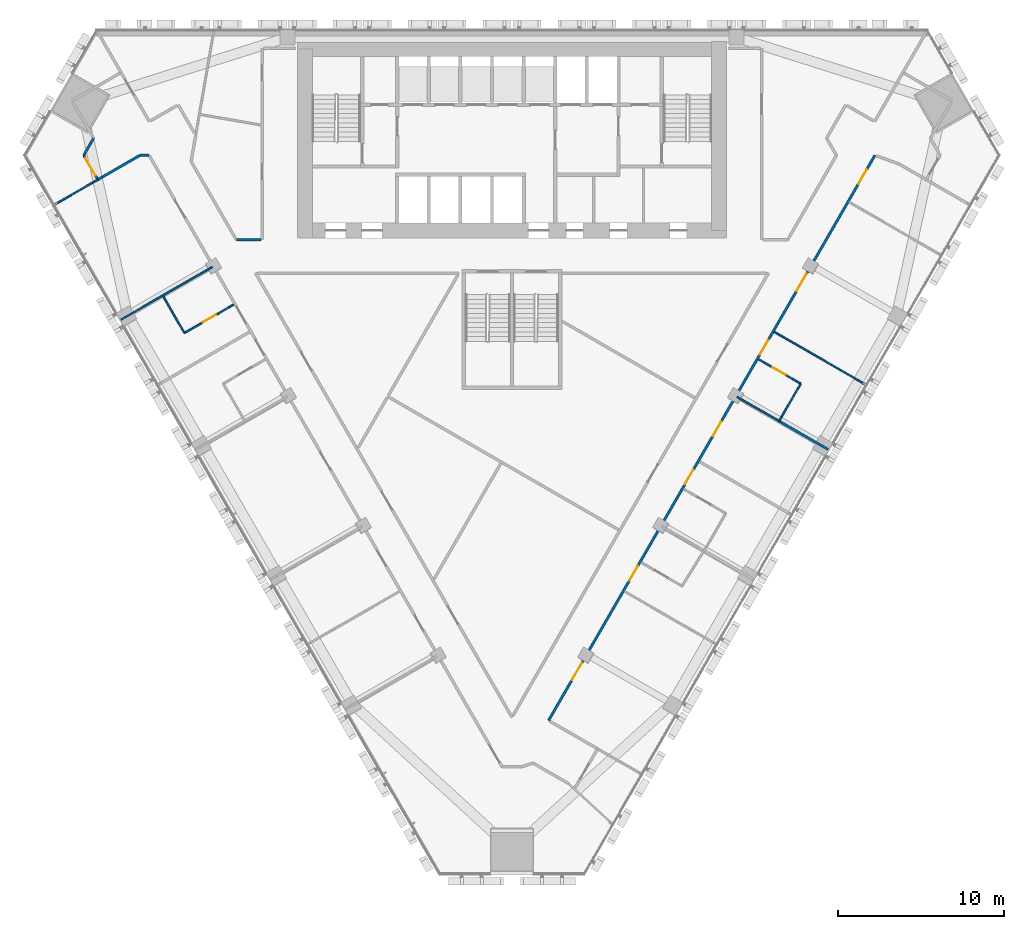
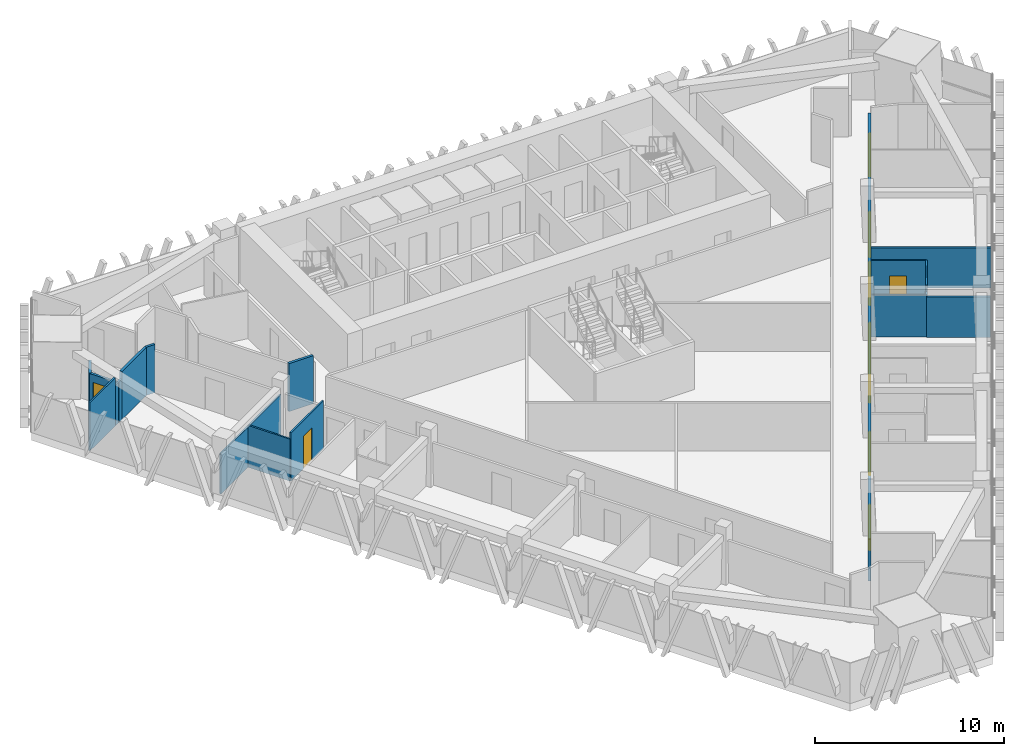
# One storey, part 10 of 16: 18 walls, 10 doors, 10 openings.
"""IFC4 building model written with IfcOpenShell, lengths in metres."""

from ifc_helpers import new_model, si_unit, direction, frame, frame_2d, origin, place, context, subcontext, project, spatial, rectangle, extrude, material, layer, layer_set, type_object, element, fill, save


model = new_model("IFC4")

# Units and contexts
model_context = context("Model", 3, precision=1e-05, world=origin(), true_north=direction((0.0, 1.0)))
body_context = subcontext(model_context, "Body", "Model", "MODEL_VIEW")
ifc_project = project(units=[si_unit("LENGTHUNIT", "METRE"), si_unit("AREAUNIT", "SQUARE_METRE"), si_unit("VOLUMEUNIT", "CUBIC_METRE"), si_unit("PLANEANGLEUNIT", "RADIAN"), si_unit("MASSUNIT", "GRAM", prefix="KILO")], contexts=[model_context])

# Site, building, storey
site_placement = place(None, origin())
site = spatial("IfcSite", under=ifc_project, at=site_placement, CompositionType="ELEMENT")
building_placement = place(site_placement, origin())
building = spatial("IfcBuilding", under=site, at=building_placement, Name="Altiplano Prism Tower", CompositionType="ELEMENT")
storey_placement = place(building_placement, frame((0.0, 0.0, 88.199951171875)))
storey = spatial("IfcBuildingStorey", under=building, at=storey_placement, Name="L22", CompositionType="ELEMENT", Elevation=88.199951171875)

# Wall, opening, door
ifc_material_1 = material(Name="Plasterboard on steel stud", Category="steel")
ifc_layer_1 = layer(ifc_material_1, 0.10009765625)
ifc_layer_set_1 = layer_set([ifc_layer_1], Name="Plasterboard on steel stud")
wall_type_1 = type_object("IfcWallType", Name="Partition 100 unit", PredefinedType="PARTITIONING", material=ifc_layer_set_1)
wall_1_placement = place(storey_placement, frame((68.28759765625, 88.507568359375, 0.0), z_axis=(0.0, 0.0, 1.0), x_axis=(-0.866019409031, -0.500010383074, 0.0)))
wall_1 = element("IfcWall", 1, at=wall_1_placement, inside=storey, type_object=wall_type_1, Name="Partition P02 L22 051", PredefinedType="PARTITIONING", context=body_context, shape_type="SweptSolid", body=[
    extrude(rectangle(XDim=3.42529296875, YDim=0.10009765625, at=frame_2d((1.712646484375, 0.0))), origin(), (0.0, 0.0, 1.0), 3.10009765625),
])
opening_1_placement = place(wall_1_placement, frame((1.22509765625, 0.0, 0.0)))
opening_1 = element("IfcOpeningElement", 2, at=opening_1_placement, cuts=wall_1, Name="Opening D0822", PredefinedType="OPENING", context=body_context, shape_type="SweptSolid", body=[
    extrude(rectangle(XDim=0.89990234375, YDim=2.10009765625, at=frame_2d((0.449951171875, 1.050048828125))), frame((0.0, 0.060546875, 0.0), z_axis=(0.0, -1.0, 0.0), x_axis=(1.0, 0.0, 0.0)), (0.0, 0.0, 1.0), 0.12109375),
])
ifc_material_2 = material(Name="Timber", Category="wood")
door_type_1 = type_object("IfcDoorType", Name="Accessible ensuite door 900 x 2100", OperationType="NOTDEFINED", PredefinedType="NOTDEFINED", material=ifc_material_2)
door_1_placement = place(opening_1_placement, origin())
door_1 = element("IfcDoor", 3, at=door_1_placement, inside=storey, type_object=door_type_1, Name="Door D0822", OperationType="SINGLE_SWING_RIGHT", OverallHeight=2.10009765625, OverallWidth=0.89990234375, PredefinedType="NOTDEFINED", context=body_context, shape_type="SweptSolid", body=[
    extrude(rectangle(XDim=0.89990234375, YDim=2.10009765625, at=frame_2d((0.449951171875, 1.050048828125))), frame((0.0, 0.02490234375, 0.0), z_axis=(0.0, -1.0, 0.0), x_axis=(1.0, 0.0, 0.0)), (0.0, 0.0, 1.0), 0.050048828125),
])
fill(opening_1, door_1)

# Wall
wall_2_placement = place(storey_placement, frame((65.3212890625, 86.794921875, 0.0), z_axis=(0.0, 0.0, 1.0), x_axis=(-0.499948979701, 0.866054858364, 0.0)))
element("IfcWall", 4, at=wall_2_placement, inside=storey, type_object=wall_type_1, Name="Partition P02 L22 052", PredefinedType="PARTITIONING", context=body_context, shape_type="SweptSolid", body=[
    extrude(rectangle(XDim=2.550048828125, YDim=0.10009765625, at=frame_2d((1.27490234375, 0.0))), origin(), (0.0, 0.0, 1.0), 2.699951171875),
])

# Wall, opening, door
wall_3_placement = place(storey_placement, frame((99.8125, 85.216552734375, 0.0), z_axis=(0.0, 0.0, 1.0), x_axis=(0.866046596414, -0.499963291492, 0.0)))
wall_3 = element("IfcWall", 5, at=wall_3_placement, inside=storey, type_object=wall_type_1, Name="Partition P02 L22 072", PredefinedType="PARTITIONING", context=body_context, shape_type="SweptSolid", body=[
    extrude(rectangle(XDim=2.925048828125, YDim=0.10009765625, at=frame_2d((1.46240234375, 0.0))), origin(), (0.0, 0.0, 1.0), 3.10009765625),
])
opening_2_placement = place(wall_3_placement, frame((0.97509765625, 0.0, 0.0)))
opening_2 = element("IfcOpeningElement", 6, at=opening_2_placement, cuts=wall_3, Name="Opening D0837", PredefinedType="OPENING", context=body_context, shape_type="SweptSolid", body=[
    extrude(rectangle(XDim=0.89990234375, YDim=2.10009765625, at=frame_2d((0.449951171875, 1.050048828125))), frame((0.0, 0.060546875, 0.0), z_axis=(0.0, -1.0, 0.0), x_axis=(1.0, 0.0, 0.0)), (0.0, 0.0, 1.0), 0.12109375),
])
door_type_2 = type_object("IfcDoorType", Name="Ensuite door 900 x 2100", OperationType="NOTDEFINED", PredefinedType="NOTDEFINED", material=ifc_material_2)
door_2_placement = place(opening_2_placement, origin())
door_2 = element("IfcDoor", 7, at=door_2_placement, inside=storey, type_object=door_type_2, Name="Door D0837", OperationType="SINGLE_SWING_LEFT", OverallHeight=2.10009765625, OverallWidth=0.89990234375, PredefinedType="NOTDEFINED", context=body_context, shape_type="SweptSolid", body=[
    extrude(rectangle(XDim=0.89990234375, YDim=2.10009765625, at=frame_2d((0.449951171875, 1.050048828125))), frame((0.0, 0.02490234375, 0.0), z_axis=(0.0, -1.0, 0.0), x_axis=(1.0, 0.0, 0.0)), (0.0, 0.0, 1.0), 0.050048828125),
])
fill(opening_2, door_2)

# Walls
wall_4_placement = place(storey_placement, frame((102.345703125, 83.754150390625, 0.0), z_axis=(0.0, 0.0, 1.0), x_axis=(-0.500031774688, -0.866007057882, 0.0)))
element("IfcWall", 8, at=wall_4_placement, inside=storey, type_object=wall_type_1, Name="Partition P02 L22 073", PredefinedType="PARTITIONING", context=body_context, shape_type="SweptSolid", body=[
    extrude(rectangle(XDim=2.300048828125, YDim=0.10009765625, at=frame_2d((1.14990234375, 0.0))), origin(), (0.0, 0.0, 1.0), 3.10009765625),
])
wall_5_placement = place(storey_placement, frame((101.195556640625, 81.76220703125, 0.0), z_axis=(0.0, 0.0, 1.0), x_axis=(-0.499816412211, -0.866131372301, 0.0)))
element("IfcWall", 9, at=wall_5_placement, inside=storey, type_object=wall_type_1, Name="Partition P02 L22 074", PredefinedType="PARTITIONING", context=body_context, shape_type="SweptSolid", body=[
    extrude(rectangle(XDim=0.2998046875, YDim=0.10009765625, at=frame_2d((0.14990234375, 0.0))), origin(), (0.0, 0.0, 1.0), 2.699951171875),
])
ifc_layer_2 = layer(ifc_material_1, 0.10009765625)
ifc_layer_set_2 = layer_set([ifc_layer_2], Name="Plasterboard on steel stud")
wall_type_2 = type_object("IfcWallType", Name="Partition 100 wet", PredefinedType="PARTITIONING", material=ifc_layer_set_2)
wall_6_placement = place(storey_placement, frame((57.501953125, 94.498291015625, 0.0), z_axis=(0.0, 0.0, 1.0), x_axis=(0.866033651025, 0.499985715088, 0.0)))
element("IfcWall", 10, at=wall_6_placement, inside=storey, type_object=wall_type_2, Name="Partition P03 L22 048", PredefinedType="PARTITIONING", context=body_context, shape_type="SweptSolid", body=[
    extrude(rectangle(XDim=2.67578125, YDim=0.10009765625, at=frame_2d((1.337890625, 0.0))), origin(), (0.0, 0.0, 1.0), 3.10009765625),
])
wall_7_placement = place(storey_placement, frame((59.8193359375, 95.836181640625, 0.0), z_axis=(0.0, 0.0, 1.0), x_axis=(0.866006986733, 0.500031897912, 0.0)))
element("IfcWall", 11, at=wall_7_placement, inside=storey, type_object=wall_type_2, Name="Partition P03 L22 049", PredefinedType="PARTITIONING", context=body_context, shape_type="SweptSolid", body=[
    extrude(rectangle(XDim=0.3642578125, YDim=0.10009765625, at=frame_2d((0.18212890625, 0.0))), origin(), (0.0, 0.0, 1.0), 2.60009765625),
])
wall_8_placement = place(storey_placement, frame((61.510009765625, 87.5966796875, 0.0), z_axis=(0.0, 0.0, 1.0), x_axis=(0.866032601554, 0.49998753289, 0.0)))
element("IfcWall", 12, at=wall_8_placement, inside=storey, type_object=wall_type_2, Name="Partition P03 L22 050", PredefinedType="PARTITIONING", context=body_context, shape_type="SweptSolid", body=[
    extrude(rectangle(XDim=6.324951171875, YDim=0.10009765625, at=frame_2d((3.16259765625, 0.0))), origin(), (0.0, 0.0, 1.0), 2.60009765625),
])
wall_9_placement = place(storey_placement, frame((101.045654296875, 81.50244140625, 0.0), z_axis=(0.0, 0.0, 1.0), x_axis=(-0.866046596414, 0.499963291492, 0.0)))
element("IfcWall", 13, at=wall_9_placement, inside=storey, type_object=wall_type_2, Name="Partition P03 L22 071", PredefinedType="PARTITIONING", context=body_context, shape_type="SweptSolid", body=[
    extrude(rectangle(XDim=2.925048828125, YDim=0.10009765625, at=frame_2d((1.46240234375, 0.0))), origin(), (0.0, 0.0, 1.0), 2.699951171875),
])
wall_10_placement = place(storey_placement, frame((106.257568359375, 83.689453125, 0.0), z_axis=(0.0, 0.0, 1.0), x_axis=(-0.866025401434, 0.500000004071, 0.0)))
element("IfcWall", 14, at=wall_10_placement, inside=storey, type_object=wall_type_2, Name="Partition P03 L22 075", PredefinedType="PARTITIONING", context=body_context, shape_type="SweptSolid", body=[
    extrude(rectangle(XDim=6.34521484375, YDim=0.10009765625, at=frame_2d((3.172607421875, 0.0))), origin(), (0.0, 0.0, 1.0), 2.60009765625),
])
ifc_layer_3 = layer(ifc_material_1, 0.14990234375)
ifc_layer_set_3 = layer_set([ifc_layer_3], Name="Plasterboard on steel stud")
wall_type_3 = type_object("IfcWallType", Name="Partition 150 corridor", PredefinedType="PARTITIONING", material=ifc_layer_set_3)
wall_11_placement = place(storey_placement, frame((69.925048828125, 92.39990234375, 0.0), z_axis=(0.0, 0.0, 1.0), x_axis=(-1.0, 0.0, 0.0)))
element("IfcWall", 15, at=wall_11_placement, inside=storey, type_object=wall_type_3, Name="Partition P06 L22 004", PredefinedType="PARTITIONING", context=body_context, shape_type="SweptSolid", body=[
    extrude(rectangle(XDim=1.489013671875, YDim=0.14990234375, at=frame_2d((0.74462890625, 0.0))), origin(), (0.0, 0.0, 1.0), 3.10009765625),
])
wall_12_placement = place(storey_placement, frame((59.864990234375, 98.5, 0.0), z_axis=(0.0, 0.0, 1.0), x_axis=(-0.500013496215, -0.866017611601, 0.0)))
element("IfcWall", 16, at=wall_12_placement, inside=storey, type_object=wall_type_3, Name="Partition P06 L22 012", PredefinedType="PARTITIONING", context=body_context, shape_type="SweptSolid", body=[
    extrude(rectangle(XDim=1.18603515625, YDim=0.14990234375, at=frame_2d((0.593017578125, 0.0))), origin(), (0.0, 0.0, 1.0), 2.60009765625),
])

# Wall, opening, door
wall_13_placement = place(storey_placement, frame((59.27197265625, 97.472900390625, 0.0), z_axis=(0.0, 0.0, 1.0), x_axis=(0.500005767435, -0.866022073929, 0.0)))
wall_13 = element("IfcWall", 17, at=wall_13_placement, inside=storey, type_object=wall_type_3, Name="Partition P06 L22 013", PredefinedType="PARTITIONING", context=body_context, shape_type="SweptSolid", body=[
    extrude(rectangle(XDim=1.6162109375, YDim=0.14990234375, at=frame_2d((0.80810546875, 0.0))), origin(), (0.0, 0.0, 1.0), 2.60009765625),
])
opening_3_placement = place(wall_13_placement, frame((0.216064453125, 0.0, 0.0)))
opening_3 = element("IfcOpeningElement", 18, at=opening_3_placement, cuts=wall_13, Name="Opening D0819", PredefinedType="OPENING", context=body_context, shape_type="SweptSolid", body=[
    extrude(rectangle(XDim=1.199951171875, YDim=2.10009765625, at=frame_2d((0.60009765625, 1.050048828125))), frame((0.0, 0.08544921875, 0.0), z_axis=(0.0, -1.0, 0.0), x_axis=(1.0, 0.0, 0.0)), (0.0, 0.0, 1.0), 0.1708984375),
])
door_type_3 = type_object("IfcDoorType", Name="Shared room door 1200 x 2100", OperationType="NOTDEFINED", PredefinedType="NOTDEFINED", material=ifc_material_2)
door_3_placement = place(opening_3_placement, origin())
door_3 = element("IfcDoor", 19, at=door_3_placement, inside=storey, type_object=door_type_3, Name="Door D0819", OperationType="SINGLE_SWING_RIGHT", OverallHeight=2.10009765625, OverallWidth=1.199951171875, PredefinedType="NOTDEFINED", context=body_context, shape_type="SweptSolid", body=[
    extrude(rectangle(XDim=1.199951171875, YDim=2.10009765625, at=frame_2d((0.60009765625, 1.050048828125))), frame((0.0, 0.02490234375, 0.0), z_axis=(0.0, -1.0, 0.0), x_axis=(1.0, 0.0, 0.0)), (0.0, 0.0, 1.0), 0.050048828125),
])
fill(opening_3, door_3)

# Walls
wall_14_placement = place(storey_placement, frame((60.10009765625, 95.998291015625, 0.0), z_axis=(0.0, 0.0, 1.0), x_axis=(0.866115353951, 0.499844169366, 0.0)))
element("IfcWall", 20, at=wall_14_placement, inside=storey, type_object=wall_type_3, Name="Partition P06 L22 014", PredefinedType="PARTITIONING", context=body_context, shape_type="SweptSolid", body=[
    extrude(rectangle(XDim=0.34716796875, YDim=0.14990234375, at=frame_2d((0.173583984375, 0.0))), origin(), (0.0, 0.0, 1.0), 2.60009765625),
])
wall_15_placement = place(storey_placement, frame((60.40087890625, 96.171875, 0.0), z_axis=(0.0, 0.0, 1.0), x_axis=(0.866023087339, 0.500004012181, 0.0)))
element("IfcWall", 21, at=wall_15_placement, inside=storey, type_object=wall_type_3, Name="Partition P06 L22 015", PredefinedType="PARTITIONING", context=body_context, shape_type="SweptSolid", body=[
    extrude(rectangle(XDim=2.60205078125, YDim=0.14990234375, at=frame_2d((1.301025390625, 0.0))), origin(), (0.0, 0.0, 1.0), 3.10009765625),
])
wall_16_placement = place(storey_placement, frame((62.654296875, 97.472900390625, 0.0), z_axis=(0.0, 0.0, 1.0), x_axis=(1.0, 0.0, 0.0)))
element("IfcWall", 22, at=wall_16_placement, inside=storey, type_object=wall_type_3, Name="Partition P06 L22 016", PredefinedType="PARTITIONING", context=body_context, shape_type="SweptSolid", body=[
    extrude(rectangle(XDim=0.543701171875, YDim=0.14990234375, at=frame_2d((0.27197265625, 0.0))), origin(), (0.0, 0.0, 1.0), 3.10009765625),
])

# Wall, openings, doors
wall_17_placement = place(storey_placement, frame((87.197509765625, 63.516845703125, 0.0), z_axis=(0.0, 0.0, 1.0), x_axis=(0.499999136801, 0.866025902152, 0.0)))
wall_17 = element("IfcWall", 23, at=wall_17_placement, inside=storey, type_object=wall_type_3, Name="Partition P06 L22 024", PredefinedType="PARTITIONING", context=body_context, shape_type="SweptSolid", body=[
    extrude(rectangle(XDim=39.208984375, YDim=0.14990234375, at=frame_2d((19.6044921875, 0.0))), origin(), (0.0, 0.0, 1.0), 2.699951171875),
])
opening_4_placement = place(wall_17_placement, frame((2.800048828125, 0.0, 0.0)))
opening_4 = element("IfcOpeningElement", 24, at=opening_4_placement, cuts=wall_17, Name="Opening D0830", PredefinedType="OPENING", context=body_context, shape_type="SweptSolid", body=[
    extrude(rectangle(XDim=1.199951171875, YDim=2.10009765625, at=frame_2d((0.60009765625, 1.050048828125))), frame((0.0, 0.08544921875, 0.0), z_axis=(0.0, -1.0, 0.0), x_axis=(1.0, 0.0, 0.0)), (0.0, 0.0, 1.0), 0.1708984375),
])
opening_5_placement = place(wall_17_placement, frame((9.719970703125, 0.0, 0.0)))
opening_5 = element("IfcOpeningElement", 25, at=opening_5_placement, cuts=wall_17, Name="Opening D0831", PredefinedType="OPENING", context=body_context, shape_type="SweptSolid", body=[
    extrude(rectangle(XDim=1.0, YDim=2.10009765625, at=frame_2d((0.5, 1.050048828125))), frame((0.0, 0.08544921875, 0.0), z_axis=(0.0, -1.0, 0.0), x_axis=(1.0, 0.0, 0.0)), (0.0, 0.0, 1.0), 0.1708984375),
])
opening_6_placement = place(wall_17_placement, frame((16.39501953125, 0.0, 0.0)))
opening_6 = element("IfcOpeningElement", 26, at=opening_6_placement, cuts=wall_17, Name="Opening D0833", PredefinedType="OPENING", context=body_context, shape_type="SweptSolid", body=[
    extrude(rectangle(XDim=1.0, YDim=2.10009765625, at=frame_2d((0.5, 1.050048828125))), frame((0.0, 0.08544921875, 0.0), z_axis=(0.0, -1.0, 0.0), x_axis=(1.0, 0.0, 0.0)), (0.0, 0.0, 1.0), 0.1708984375),
])
opening_7_placement = place(wall_17_placement, frame((19.75, 0.0, 0.0)))
opening_7 = element("IfcOpeningElement", 27, at=opening_7_placement, cuts=wall_17, Name="Opening D0835", PredefinedType="OPENING", context=body_context, shape_type="SweptSolid", body=[
    extrude(rectangle(XDim=1.0, YDim=2.10009765625, at=frame_2d((0.5, 1.050048828125))), frame((0.0, 0.08544921875, 0.0), z_axis=(0.0, -1.0, 0.0), x_axis=(1.0, 0.0, 0.0)), (0.0, 0.0, 1.0), 0.1708984375),
])
opening_8_placement = place(wall_17_placement, frame((25.39501953125, 0.0, 0.0)))
opening_8 = element("IfcOpeningElement", 28, at=opening_8_placement, cuts=wall_17, Name="Opening D0836", PredefinedType="OPENING", context=body_context, shape_type="SweptSolid", body=[
    extrude(rectangle(XDim=1.0, YDim=2.10009765625, at=frame_2d((0.5, 1.050048828125))), frame((0.0, 0.08544921875, 0.0), z_axis=(0.0, -1.0, 0.0), x_axis=(1.0, 0.0, 0.0)), (0.0, 0.0, 1.0), 0.1708984375),
])
opening_9_placement = place(wall_17_placement, frame((29.800048828125, 0.0, 0.0)))
opening_9 = element("IfcOpeningElement", 29, at=opening_9_placement, cuts=wall_17, Name="Opening D0838", PredefinedType="OPENING", context=body_context, shape_type="SweptSolid", body=[
    extrude(rectangle(XDim=1.199951171875, YDim=2.10009765625, at=frame_2d((0.60009765625, 1.050048828125))), frame((0.0, 0.08544921875, 0.0), z_axis=(0.0, -1.0, 0.0), x_axis=(1.0, 0.0, 0.0)), (0.0, 0.0, 1.0), 0.1708984375),
])
opening_10_placement = place(wall_17_placement, frame((37.22509765625, 0.0, 0.0)))
opening_10 = element("IfcOpeningElement", 30, at=opening_10_placement, cuts=wall_17, Name="Opening D0839", PredefinedType="OPENING", context=body_context, shape_type="SweptSolid", body=[
    extrude(rectangle(XDim=1.0, YDim=2.10009765625, at=frame_2d((0.5, 1.050048828125))), frame((0.0, 0.08544921875, 0.0), z_axis=(0.0, -1.0, 0.0), x_axis=(1.0, 0.0, 0.0)), (0.0, 0.0, 1.0), 0.1708984375),
])
door_type_4 = type_object("IfcDoorType", Name="Bedroom entrance door 1000 x 2100", OperationType="NOTDEFINED", PredefinedType="NOTDEFINED", material=ifc_material_2)
door_4_placement = place(opening_5_placement, origin())
door_4 = element("IfcDoor", 31, at=door_4_placement, inside=storey, type_object=door_type_4, Name="Door D0831", OperationType="SINGLE_SWING_RIGHT", OverallHeight=2.10009765625, OverallWidth=1.0, PredefinedType="NOTDEFINED", context=body_context, shape_type="SweptSolid", body=[
    extrude(rectangle(XDim=1.0, YDim=2.10009765625, at=frame_2d((0.5, 1.050048828125))), frame((0.0, 0.02490234375, 0.0), z_axis=(0.0, -1.0, 0.0), x_axis=(1.0, 0.0, 0.0)), (0.0, 0.0, 1.0), 0.050048828125),
])
fill(opening_5, door_4)
door_5_placement = place(opening_6_placement, origin())
door_5 = element("IfcDoor", 32, at=door_5_placement, inside=storey, type_object=door_type_4, Name="Door D0833", OperationType="SINGLE_SWING_LEFT", OverallHeight=2.10009765625, OverallWidth=1.0, PredefinedType="NOTDEFINED", context=body_context, shape_type="SweptSolid", body=[
    extrude(rectangle(XDim=1.0, YDim=2.10009765625, at=frame_2d((0.5, 1.050048828125))), frame((0.0, 0.02490234375, 0.0), z_axis=(0.0, -1.0, 0.0), x_axis=(1.0, 0.0, 0.0)), (0.0, 0.0, 1.0), 0.050048828125),
])
fill(opening_6, door_5)
door_6_placement = place(opening_8_placement, origin())
door_6 = element("IfcDoor", 33, at=door_6_placement, inside=storey, type_object=door_type_4, Name="Door D0836", OperationType="SINGLE_SWING_RIGHT", OverallHeight=2.10009765625, OverallWidth=1.0, PredefinedType="NOTDEFINED", context=body_context, shape_type="SweptSolid", body=[
    extrude(rectangle(XDim=1.0, YDim=2.10009765625, at=frame_2d((0.5, 1.050048828125))), frame((0.0, 0.02490234375, 0.0), z_axis=(0.0, -1.0, 0.0), x_axis=(1.0, 0.0, 0.0)), (0.0, 0.0, 1.0), 0.050048828125),
])
fill(opening_8, door_6)
door_type_5 = type_object("IfcDoorType", Name="Room door 1000 x 2100", OperationType="NOTDEFINED", PredefinedType="NOTDEFINED", material=ifc_material_2)
door_7_placement = place(opening_7_placement, origin())
door_7 = element("IfcDoor", 34, at=door_7_placement, inside=storey, type_object=door_type_5, Name="Door D0835", OperationType="SINGLE_SWING_RIGHT", OverallHeight=2.10009765625, OverallWidth=1.0, PredefinedType="NOTDEFINED", context=body_context, shape_type="SweptSolid", body=[
    extrude(rectangle(XDim=1.0, YDim=2.10009765625, at=frame_2d((0.5, 1.050048828125))), frame((0.0, 0.02490234375, 0.0), z_axis=(0.0, -1.0, 0.0), x_axis=(1.0, 0.0, 0.0)), (0.0, 0.0, 1.0), 0.050048828125),
])
fill(opening_7, door_7)
door_8_placement = place(opening_10_placement, origin())
door_8 = element("IfcDoor", 35, at=door_8_placement, inside=storey, type_object=door_type_5, Name="Door D0839", OperationType="SINGLE_SWING_RIGHT", OverallHeight=2.10009765625, OverallWidth=1.0, PredefinedType="NOTDEFINED", context=body_context, shape_type="SweptSolid", body=[
    extrude(rectangle(XDim=1.0, YDim=2.10009765625, at=frame_2d((0.5, 1.050048828125))), frame((0.0, 0.02490234375, 0.0), z_axis=(0.0, -1.0, 0.0), x_axis=(1.0, 0.0, 0.0)), (0.0, 0.0, 1.0), 0.050048828125),
])
fill(opening_10, door_8)
door_9_placement = place(opening_4_placement, origin())
door_9 = element("IfcDoor", 36, at=door_9_placement, inside=storey, type_object=door_type_3, Name="Door D0830", OperationType="SINGLE_SWING_RIGHT", OverallHeight=2.10009765625, OverallWidth=1.199951171875, PredefinedType="NOTDEFINED", context=body_context, shape_type="SweptSolid", body=[
    extrude(rectangle(XDim=1.199951171875, YDim=2.10009765625, at=frame_2d((0.60009765625, 1.050048828125))), frame((0.0, 0.02490234375, 0.0), z_axis=(0.0, -1.0, 0.0), x_axis=(1.0, 0.0, 0.0)), (0.0, 0.0, 1.0), 0.050048828125),
])
fill(opening_4, door_9)
door_10_placement = place(opening_9_placement, origin())
door_10 = element("IfcDoor", 37, at=door_10_placement, inside=storey, type_object=door_type_3, Name="Door D0838", OperationType="SINGLE_SWING_LEFT", OverallHeight=2.10009765625, OverallWidth=1.199951171875, PredefinedType="NOTDEFINED", context=body_context, shape_type="SweptSolid", body=[
    extrude(rectangle(XDim=1.199951171875, YDim=2.10009765625, at=frame_2d((0.60009765625, 1.050048828125))), frame((0.0, 0.02490234375, 0.0), z_axis=(0.0, -1.0, 0.0), x_axis=(1.0, 0.0, 0.0)), (0.0, 0.0, 1.0), 0.050048828125),
])
fill(opening_9, door_10)

# Wall
ifc_layer_4 = layer(ifc_material_1, 0.14990234375)
ifc_layer_set_4 = layer_set([ifc_layer_4], Name="Plasterboard on steel stud")
wall_type_4 = type_object("IfcWallType", Name="Partition 150 party", PredefinedType="PARTITIONING", material=ifc_layer_set_4)
wall_18_placement = place(storey_placement, frame((103.989990234375, 79.802490234375, 0.0), z_axis=(0.0, 0.0, 1.0), x_axis=(-0.866020560687, 0.500008388397, 0.0)))
element("IfcWall", 38, at=wall_18_placement, inside=storey, type_object=wall_type_4, Name="Partition P01 L22 070", PredefinedType="PARTITIONING", context=body_context, shape_type="SweptSolid", body=[
    extrude(rectangle(XDim=3.39990234375, YDim=0.14990234375, at=frame_2d((1.699951171875, 0.0))), origin(), (0.0, 0.0, 1.0), 2.60009765625),
])

save(model, "model.ifc")
